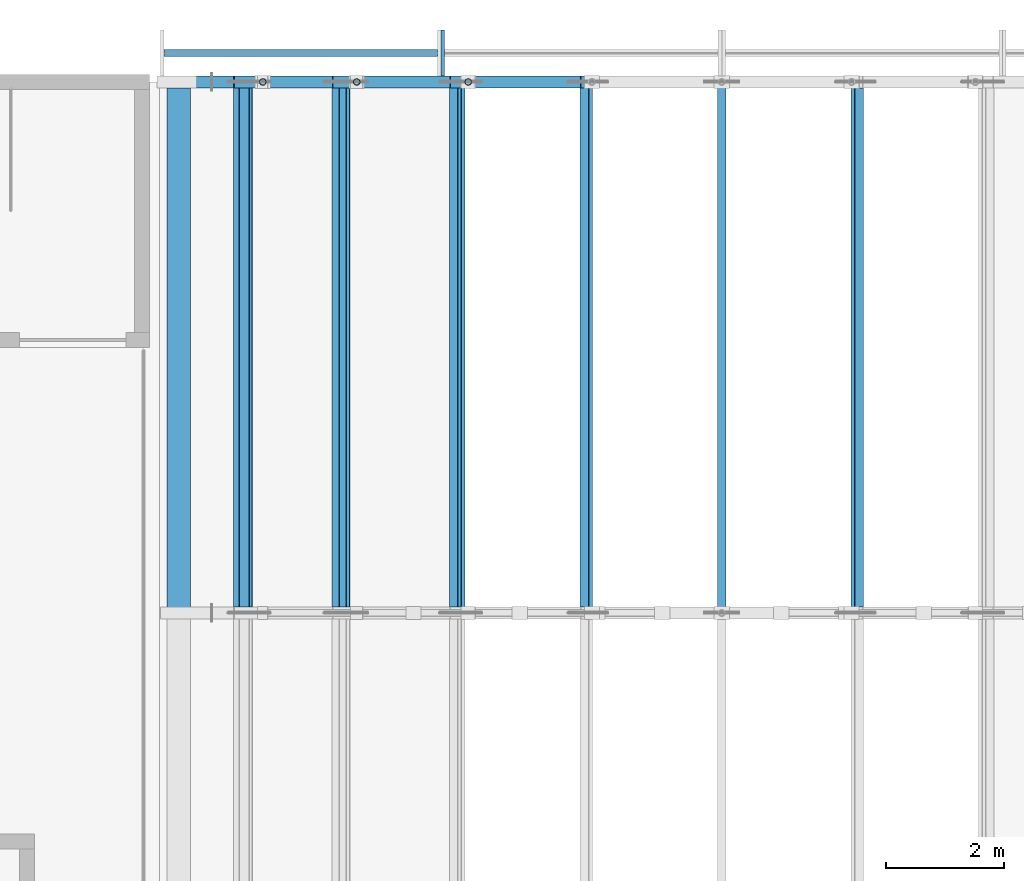
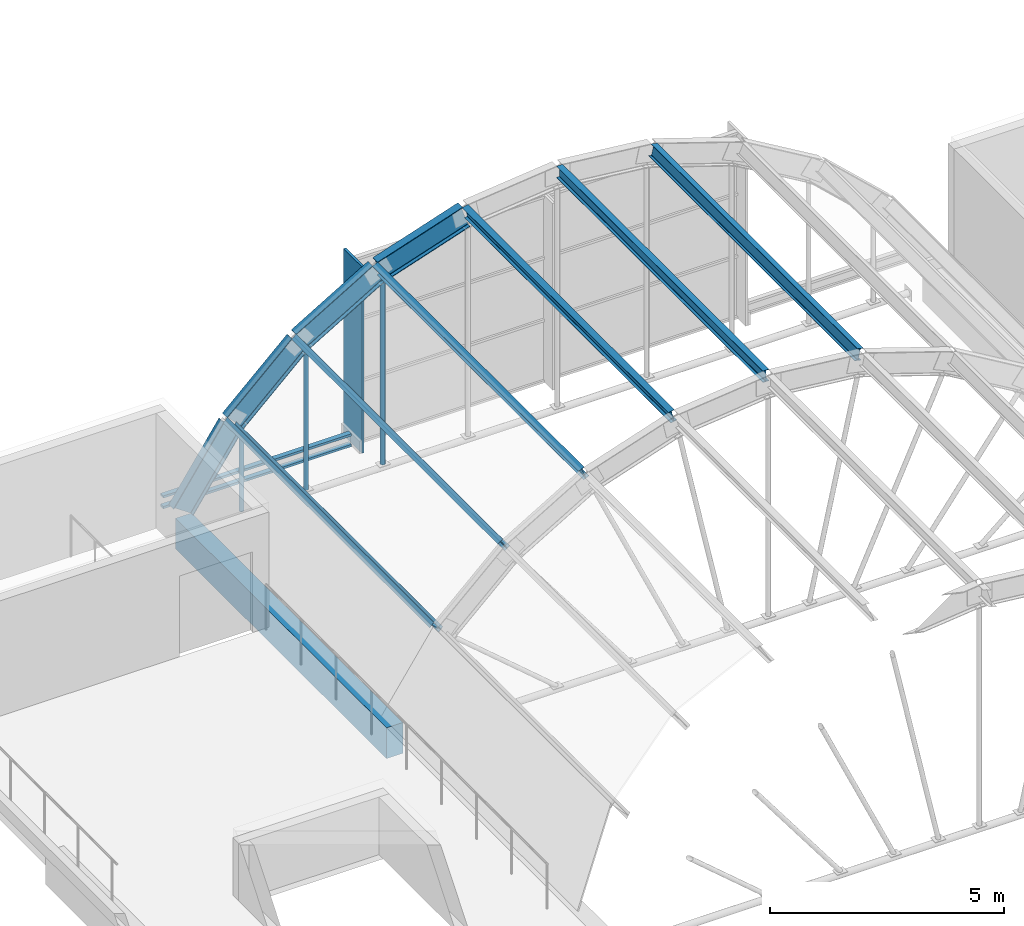
# One storey, part 27 of 79: 12 members, 5 beams, 2 elements without a shape of their own.
"""IFC4 building model written with IfcOpenShell, lengths in metres."""

from ifc_helpers import new_model, si_unit, direction, frame, origin, origin_2d, place, context, subcontext, project, spatial, rectangle, hollow_circle, i_section, extrude, material, layer, layer_set, material_profile, profile_set, type_object, element, aggregate, save


model = new_model("IFC4")

# Units and contexts
model_context = context("Model", 3, precision=1e-05, world=origin(), true_north=direction((0.0, 1.0)))
body_context = subcontext(model_context, "Body", "Model", "MODEL_VIEW")
ifc_project = project(units=[si_unit("LENGTHUNIT", "METRE"), si_unit("AREAUNIT", "SQUARE_METRE"), si_unit("VOLUMEUNIT", "CUBIC_METRE"), si_unit("PLANEANGLEUNIT", "RADIAN"), si_unit("MASSUNIT", "GRAM", prefix="KILO")], contexts=[model_context])

# Site, building, storey
site_placement = place(None, origin())
site = spatial("IfcSite", under=ifc_project, at=site_placement, CompositionType="ELEMENT")
building_placement = place(site_placement, origin())
building = spatial("IfcBuilding", under=site, at=building_placement, Name="Guidao Yard Department Store", CompositionType="ELEMENT")
storey_placement = place(building_placement, frame((0.0, 0.0, 15.0)))
storey = spatial("IfcBuildingStorey", under=building, at=storey_placement, Name="L03", CompositionType="ELEMENT", Elevation=15.0)

# Members
ifc_material_1 = material(Name="Steel Q355B", Category="steel")
ifc_material_profile_1 = material_profile(ifc_material_1, hollow_circle(Radius=0.056884765625, WallThickness=0.006103515625, at=origin_2d()), Name="CHS 114x6")
ifc_profile_set_1 = profile_set([ifc_material_profile_1], Name="Steel Q355B")
member_type_1 = type_object("IfcMemberType", Name="CHS 114x6", PredefinedType="BRACE", material=ifc_profile_set_1)
member_1_placement = place(storey_placement, frame((82.221923828125, 108.0, -0.360107421875), z_axis=(0.0, 0.0, 1.0), x_axis=(1.0, 0.0, 0.0)))
element("IfcMember", 1, at=member_1_placement, inside=storey, type_object=member_type_1, Name="Roof web strut C08-01", PredefinedType="BRACE", context=body_context, shape_type="SweptSolid", body=[
    extrude(hollow_circle(Radius=0.056884765625, WallThickness=0.006103515625, at=origin_2d()), origin(), (0.0, 0.0, 1.0), 2.180908203125),
])
member_2_placement = place(storey_placement, frame((83.8134765625, 108.0, -0.360107421875), z_axis=(0.0, 0.0, 1.0), x_axis=(1.0, 0.0, 0.0)))
element("IfcMember", 2, at=member_2_placement, inside=storey, type_object=member_type_1, Name="Roof web strut C08-02", PredefinedType="BRACE", context=body_context, shape_type="SweptSolid", body=[
    extrude(hollow_circle(Radius=0.056884765625, WallThickness=0.006103515625, at=origin_2d()), origin(), (0.0, 0.0, 1.0), 3.67431640625),
])
member_3_placement = place(storey_placement, frame((85.702392578125, 108.0, -0.360107421875), z_axis=(0.0, 0.0, 1.0), x_axis=(1.0, 0.0, 0.0)))
element("IfcMember", 3, at=member_3_placement, inside=storey, type_object=member_type_1, Name="Roof web strut C08-03", PredefinedType="BRACE", context=body_context, shape_type="SweptSolid", body=[
    extrude(hollow_circle(Radius=0.056884765625, WallThickness=0.006103515625, at=origin_2d()), origin(), (0.0, 0.0, 1.0), 4.7958984375),
])
ifc_material_2 = material(Name="Steel Q355B", Category="steel")
ifc_material_profile_2 = material_profile(ifc_material_2, i_section(OverallWidth=0.14990234375, OverallDepth=0.300048828125, WebThickness=0.006591796875, FlangeThickness=0.009033203125, FilletRadius=0.012939453125, at=origin_2d()), Name="HN 300x150x6.5x9")
ifc_profile_set_2 = profile_set([ifc_material_profile_2], Name="Steel Q355B")
member_type_2 = type_object("IfcMemberType", Name="HN 300x150x6.5x9", PredefinedType="PURLIN", material=ifc_profile_set_2)
for number, where, z_axis, x_axis, name in (
    (4, (81.88330078125, 99.10009765625, 2.110107421875), (0.0, 1.0, 0.0), (-0.649536869322, 0.0, -0.760330096334), "Roof purlin C07-01"),
    (5, (83.5458984375, 99.10009765625, 3.670166015625), (0.0, 1.0, 0.0), (-0.79928350319, 0.0, -0.600954142617), "Roof purlin C07-02"),
    (6, (85.517578125, 99.10009765625, 4.841064453125), (0.0, 1.0, 0.0), (-0.909750741633, 0.0, -0.415154896513), "Roof purlin C07-03"),
    (7, (87.703857421875, 99.10009765625, 5.56640625), (0.0, 1.0, 0.0), (-0.977291953985, 0.0, -0.211897231402), "Roof purlin C07-04"),
    (8, (90.0, 99.10009765625, 5.812255859375), (0.0, 1.0, 0.0), (-1.0, 0.0, 0.0), "Roof purlin C07-05"),
    (9, (92.296142578125, 99.10009765625, 5.56640625), (0.0, 1.0, 0.0), (-0.977291953985, 0.0, 0.211897231402), "Roof purlin C07-06"),
):
    element("IfcMember", number, at=place(storey_placement, frame(where, z_axis=z_axis, x_axis=x_axis)), inside=storey, type_object=member_type_2, Name=name, PredefinedType="PURLIN", context=body_context, shape_type="SweptSolid", body=[
        extrude(i_section(OverallWidth=0.14990234375, OverallDepth=0.300048828125, WebThickness=0.006591796875, FlangeThickness=0.009033203125, FilletRadius=0.012939453125, at=origin_2d()), origin(), (0.0, 0.0, 1.0), 8.7998046875),
    ])

# Beams
ifc_material_3 = material(Name="Steel Q355B", Category="steel")
ifc_material_profile_3 = material_profile(ifc_material_3, i_section(OverallWidth=0.199951171875, OverallDepth=0.60009765625, WebThickness=0.010986328125, FlangeThickness=0.01708984375, FilletRadius=0.012939453125, at=origin_2d()), Name="HN 600x200x11x17")
ifc_profile_set_3 = profile_set([ifc_material_profile_3], Name="Steel Q355B")
beam_type_1 = type_object("IfcBeamType", Name="HN 600x200x11x17", PredefinedType="BEAM", material=ifc_profile_set_3)
beam_1_placement = place(storey_placement, frame((80.73681640625, 108.0, 0.168701171875), z_axis=(0.561973245007, 0.0, 0.827155409761), x_axis=(0.0, 1.0, 0.0)))
element("IfcBeam", 10, at=beam_1_placement, inside=storey, type_object=beam_type_1, Name="Roof rib C08-01", PredefinedType="BEAM", context=body_context, shape_type="SweptSolid", body=[
    extrude(i_section(OverallWidth=0.199951171875, OverallDepth=0.60009765625, WebThickness=0.010986328125, FlangeThickness=0.01708984375, FilletRadius=0.012939453125, at=origin_2d()), origin(), (0.0, 0.0, 1.0), 2.201171875),
])
beam_2_placement = place(storey_placement, frame((82.016845703125, 108.0, 2.03955078125), z_axis=(0.729181254966, 0.0, 0.684320610099), x_axis=(0.0, 1.0, 0.0)))
element("IfcBeam", 11, at=beam_2_placement, inside=storey, type_object=beam_type_1, Name="Roof rib C08-02", PredefinedType="BEAM", context=body_context, shape_type="SweptSolid", body=[
    extrude(i_section(OverallWidth=0.199951171875, OverallDepth=0.60009765625, WebThickness=0.010986328125, FlangeThickness=0.01708984375, FilletRadius=0.012939453125, at=origin_2d()), origin(), (0.0, 0.0, 1.0), 2.182373046875),
])
beam_3_placement = place(storey_placement, frame((83.660400390625, 108.0, 3.572265625), z_axis=(0.859895907255, 0.0, 0.510469419933), x_axis=(0.0, 1.0, 0.0)))
element("IfcBeam", 12, at=beam_3_placement, inside=storey, type_object=beam_type_1, Name="Roof rib C08-03", PredefinedType="BEAM", context=body_context, shape_type="SweptSolid", body=[
    extrude(i_section(OverallWidth=0.199951171875, OverallDepth=0.60009765625, WebThickness=0.010986328125, FlangeThickness=0.01708984375, FilletRadius=0.012939453125, at=origin_2d()), origin(), (0.0, 0.0, 1.0), 2.19677734375),
])
beam_4_placement = place(storey_placement, frame((85.60791015625, 108.0, 4.720458984375), z_axis=(0.949091595418, 0.0, 0.31500022779), x_axis=(0.0, 1.0, 0.0)))
element("IfcBeam", 13, at=beam_4_placement, inside=storey, type_object=beam_type_1, Name="Roof rib C08-04", PredefinedType="BEAM", context=body_context, shape_type="SweptSolid", body=[
    extrude(i_section(OverallWidth=0.199951171875, OverallDepth=0.60009765625, WebThickness=0.010986328125, FlangeThickness=0.01708984375, FilletRadius=0.012939453125, at=origin_2d()), origin(), (0.0, 0.0, 1.0), 2.2080078125),
])

# Curtain wall, member
ifc_material_4 = material(Name="Aluminium and glass", Category="aluminium")
ifc_layer = layer(ifc_material_4, 0.159912109375)
ifc_layer_set = layer_set([ifc_layer], Name="Gable glazing CW7 1500 module")
curtain_wall_type = type_object("IfcCurtainWallType", Name="Gable glazing CW7 1500 module", PredefinedType="NOTDEFINED", material=ifc_layer_set)
curtain_wall_1_placement = place(storey_placement, origin())
curtain_wall_1 = element("IfcCurtainWall", 14, at=curtain_wall_1_placement, inside=storey, type_object=curtain_wall_type, Name="Gable glazing CN2", PredefinedType="NOTDEFINED")
ifc_material_5 = material(Name="Aluminium 6063-T5", Category="aluminium")
ifc_material_profile_4 = material_profile(ifc_material_5, rectangle(XDim=0.06005859375, YDim=0.780029296875, at=origin_2d()), Name="Mullion M3 60 x 780 aluminium pressure plate")
ifc_profile_set_4 = profile_set([ifc_material_profile_4], Name="Aluminium 6063-T5")
member_type_3 = type_object("IfcMemberType", Name="Mullion M3 60 x 780 aluminium pressure plate", PredefinedType="MULLION", material=ifc_profile_set_4)
member_4_placement = place(storey_placement, frame((85.2744140625, 108.489990234375, 0.0), z_axis=(0.0, 0.0, 1.0), x_axis=(1.0, 0.0, 0.0)))
member_4 = element("IfcMember", 15, at=member_4_placement, type_object=member_type_3, Name="CW-TCN2 mullion 1", PredefinedType="MULLION", context=body_context, shape_type="SweptSolid", body=[
    extrude(rectangle(XDim=0.06005859375, YDim=0.780029296875, at=origin_2d()), origin(), (0.0, 0.0, 1.0), 4.861572265625),
])
aggregate(curtain_wall_1, [member_4])

# Curtain wall, members
curtain_wall_2_placement = place(storey_placement, origin())
curtain_wall_2 = element("IfcCurtainWall", 16, at=curtain_wall_2_placement, inside=storey, type_object=curtain_wall_type, Name="Gable glazing CN1", PredefinedType="NOTDEFINED")
ifc_material_6 = material(Name="Aluminium 6063-T5", Category="aluminium")
ifc_material_profile_5 = material_profile(ifc_material_6, rectangle(XDim=0.1201171875, YDim=0.06005859375, at=origin_2d()), Name="Transom T1 60 x 120 aluminium pressure plate")
ifc_profile_set_5 = profile_set([ifc_material_profile_5], Name="Aluminium 6063-T5")
member_type_4 = type_object("IfcMemberType", Name="Transom T1 60 x 120 aluminium pressure plate", PredefinedType="USERDEFINED", material=ifc_profile_set_5)
member_5_placement = place(storey_placement, frame((80.548583984375, 108.489990234375, 0.030029296875), z_axis=(1.0, 0.0, 0.0), x_axis=(0.0, 1.0, 0.0)))
member_5 = element("IfcMember", 17, at=member_5_placement, type_object=member_type_4, Name="CW-TCN1 transom 1.1", ObjectType="TRANSOM", PredefinedType="USERDEFINED", context=body_context, shape_type="SweptSolid", body=[
    extrude(rectangle(XDim=0.1201171875, YDim=0.06005859375, at=origin_2d()), origin(), (0.0, 0.0, 1.0), 4.6357421875),
])
member_6_placement = place(storey_placement, frame((80.548583984375, 108.489990234375, 0.30712890625), z_axis=(1.0, 0.0, 0.0), x_axis=(0.0, 1.0, 0.0)))
member_6 = element("IfcMember", 18, at=member_6_placement, type_object=member_type_4, Name="CW-TCN1 transom 1.2", ObjectType="TRANSOM", PredefinedType="USERDEFINED", context=body_context, shape_type="SweptSolid", body=[
    extrude(rectangle(XDim=0.1201171875, YDim=0.06005859375, at=origin_2d()), origin(), (0.0, 0.0, 1.0), 4.6357421875),
])
aggregate(curtain_wall_2, [member_5, member_6])

# Beam
ifc_material_7 = material(Name="Concrete C40", Category="concrete")
ifc_material_profile_6 = material_profile(ifc_material_7, rectangle(XDim=0.39990234375, YDim=0.800048828125, at=origin_2d()), Name="Vault bearing beam 400 x 800 C40")
ifc_profile_set_6 = profile_set([ifc_material_profile_6], Name="Concrete C40")
beam_type_2 = type_object("IfcBeamType", Name="Vault bearing beam 400 x 800 C40", PredefinedType="BEAM", material=ifc_profile_set_6)
beam_5_placement = place(storey_placement, frame((80.800048828125, 99.0, -0.39990234375), z_axis=(0.0, 1.0, 0.0), x_axis=(-1.0, 0.0, 0.0)))
element("IfcBeam", 19, at=beam_5_placement, inside=storey, type_object=beam_type_2, Name="Beam VB07", PredefinedType="BEAM", context=body_context, shape_type="SweptSolid", body=[
    extrude(rectangle(XDim=0.39990234375, YDim=0.800048828125, at=origin_2d()), origin(), (0.0, 0.0, 1.0), 9.0),
])

save(model, "model.ifc")
